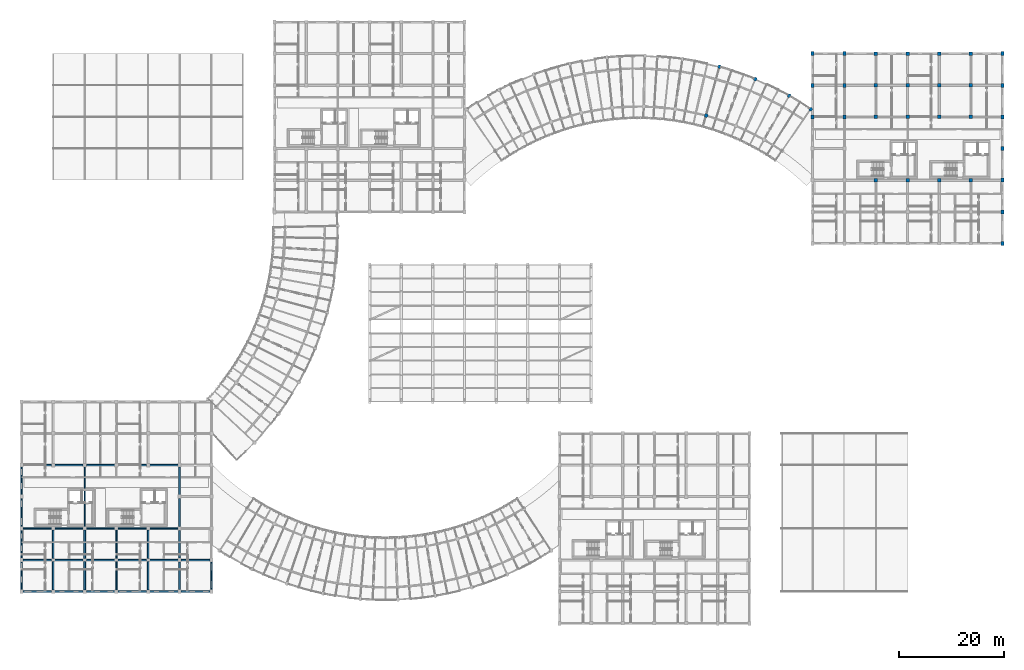
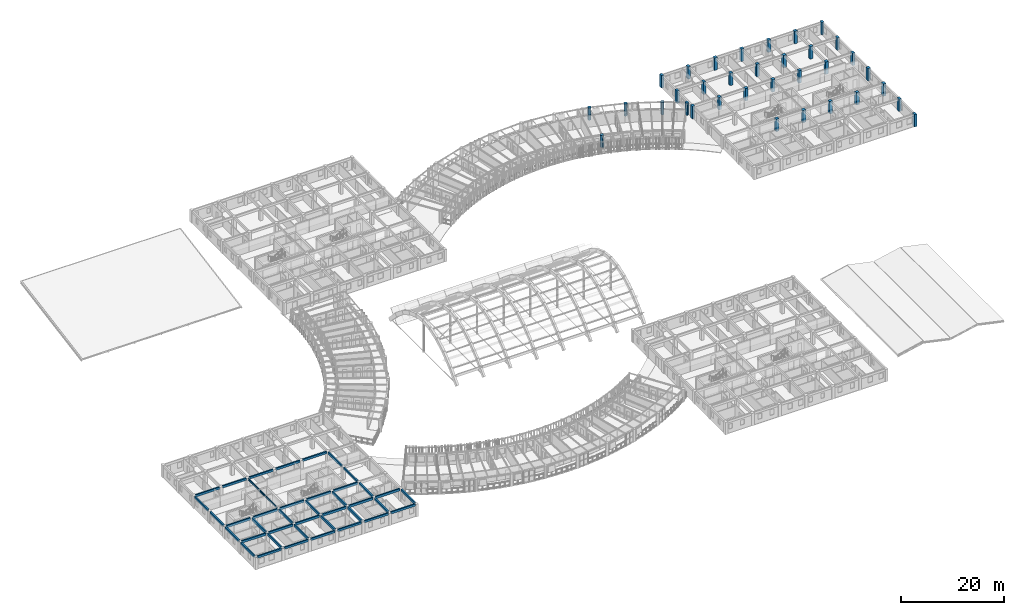
# One storey, part 2 of 123: 40 beams, 34 columns.
"""IFC4 building model written with IfcOpenShell, lengths in metres."""

from ifc_helpers import new_model, si_unit, direction, frame, origin, origin_2d, place, context, subcontext, project, spatial, rectangle, circle, i_section, extrude, material, material_profile, profile_set, type_object, element, save


model = new_model("IFC4")

# Units and contexts
model_context = context("Model", 3, precision=1e-05, world=origin(), true_north=direction((0.0, 1.0)))
body_context = subcontext(model_context, "Body", "Model", "MODEL_VIEW")
ifc_project = project(units=[si_unit("LENGTHUNIT", "METRE"), si_unit("AREAUNIT", "SQUARE_METRE"), si_unit("VOLUMEUNIT", "CUBIC_METRE"), si_unit("PLANEANGLEUNIT", "RADIAN"), si_unit("MASSUNIT", "GRAM", prefix="KILO"), si_unit("POWERUNIT", "WATT"), si_unit("THERMODYNAMICTEMPERATUREUNIT", "KELVIN")], contexts=[model_context])

# Site, building, storey
site_placement = place(None, origin())
site = spatial("IfcSite", under=ifc_project, at=site_placement, CompositionType="ELEMENT")
building_placement = place(site_placement, origin())
building = spatial("IfcBuilding", under=site, at=building_placement, Name="Ruvembo Vaulted Housing Court", CompositionType="ELEMENT")
storey_placement = place(building_placement, frame((0.0, 0.0, 7.699951171875)))
storey = spatial("IfcBuildingStorey", under=building, at=storey_placement, Name="L02", CompositionType="ELEMENT", Elevation=7.699951171875)

# Columns
ifc_material_1 = material(Name="Concrete C40/50", Category="concrete")
ifc_material_profile_1 = material_profile(ifc_material_1, rectangle(XDim=0.550048828125, YDim=0.75, at=origin_2d()), Name="RC 550x750")
ifc_profile_set_1 = profile_set([ifc_material_profile_1], Name="Concrete C40/50")
column_type_1 = type_object("IfcColumnType", Name="COL-RC-550x750", PredefinedType="COLUMN", material=ifc_profile_set_1)
for number, where, z_axis, x_axis, name in (
    (1, (150.0, 96.0, 0.0), (0.0, 0.0, 1.0), (1.0, 0.0, 0.0), "L02 Column (150,96)"),
    (2, (150.0, 102.0, 0.0), (0.0, 0.0, 1.0), (1.0, 0.0, 0.0), "L02 Column (150,102)"),
    (3, (150.0, 108.0, 0.0), (0.0, 0.0, 1.0), (1.0, 0.0, 0.0), "L02 Column (150,108)"),
    (4, (156.0, 96.0, 0.0), (0.0, 0.0, 1.0), (1.0, 0.0, 0.0), "L02 Column (156,96)"),
    (5, (156.0, 102.0, 0.0), (0.0, 0.0, 1.0), (1.0, 0.0, 0.0), "L02 Column (156,102)"),
    (6, (156.0, 108.0, 0.0), (0.0, 0.0, 1.0), (1.0, 0.0, 0.0), "L02 Column (156,108)"),
    (7, (186.0, 72.0, 0.0), (0.0, 0.0, 1.0), (1.0, 0.0, 0.0), "L02 Column (186,72)"),
    (8, (186.0, 78.0, 0.0), (0.0, 0.0, 1.0), (1.0, 0.0, 0.0), "L02 Column (186,78)"),
    (9, (186.0, 84.0, 0.0), (0.0, 0.0, 1.0), (1.0, 0.0, 0.0), "L02 Column (186,84)"),
    (10, (186.0, 90.0, 0.0), (0.0, 0.0, 1.0), (1.0, 0.0, 0.0), "L02 Column (186,90)"),
    (11, (186.0, 96.0, 0.0), (0.0, 0.0, 1.0), (1.0, 0.0, 0.0), "L02 Column (186,96)"),
    (12, (186.0, 102.0, 0.0), (0.0, 0.0, 1.0), (1.0, 0.0, 0.0), "L02 Column (186,102)"),
    (13, (186.0, 108.0, 0.0), (0.0, 0.0, 1.0), (1.0, 0.0, 0.0), "L02 Column (186,108)"),
):
    element("IfcColumn", number, at=place(storey_placement, frame(where, z_axis=z_axis, x_axis=x_axis)), inside=storey, type_object=column_type_1, Name=name, PredefinedType="COLUMN", context=body_context, shape_type="SweptSolid", body=[
        extrude(rectangle(XDim=0.550048828125, YDim=0.75, at=origin_2d()), origin(), (0.0, 0.0, 1.0), 2.955078125),
    ])
ifc_material_profile_2 = material_profile(ifc_material_1, rectangle(XDim=0.64990234375, YDim=0.64990234375, at=origin_2d()), Name="RC 650x650")
ifc_profile_set_2 = profile_set([ifc_material_profile_2], Name="Concrete C40/50")
column_type_2 = type_object("IfcColumnType", Name="COL-RC-650", PredefinedType="COLUMN", material=ifc_profile_set_2)
for number, where, z_axis, x_axis, name in (
    (14, (162.0, 84.0, 0.0), (0.0, 0.0, 1.0), (1.0, 0.0, 0.0), "L02 Column (162,84)"),
    (15, (162.0, 96.0, 0.0), (0.0, 0.0, 1.0), (1.0, 0.0, 0.0), "L02 Column (162,96)"),
    (16, (162.0, 102.0, 0.0), (0.0, 0.0, 1.0), (1.0, 0.0, 0.0), "L02 Column (162,102)"),
    (17, (162.0, 108.0, 0.0), (0.0, 0.0, 1.0), (1.0, 0.0, 0.0), "L02 Column (162,108)"),
    (18, (168.0, 84.0, 0.0), (0.0, 0.0, 1.0), (1.0, 0.0, 0.0), "L02 Column (168,84)"),
    (19, (168.0, 96.0, 0.0), (0.0, 0.0, 1.0), (1.0, 0.0, 0.0), "L02 Column (168,96)"),
    (20, (168.0, 102.0, 0.0), (0.0, 0.0, 1.0), (1.0, 0.0, 0.0), "L02 Column (168,102)"),
    (21, (168.0, 108.0, 0.0), (0.0, 0.0, 1.0), (1.0, 0.0, 0.0), "L02 Column (168,108)"),
    (22, (174.0, 84.0, 0.0), (0.0, 0.0, 1.0), (1.0, 0.0, 0.0), "L02 Column (174,84)"),
    (23, (174.0, 96.0, 0.0), (0.0, 0.0, 1.0), (1.0, 0.0, 0.0), "L02 Column (174,96)"),
    (24, (174.0, 102.0, 0.0), (0.0, 0.0, 1.0), (1.0, 0.0, 0.0), "L02 Column (174,102)"),
    (25, (174.0, 108.0, 0.0), (0.0, 0.0, 1.0), (1.0, 0.0, 0.0), "L02 Column (174,108)"),
    (26, (180.0, 84.0, 0.0), (0.0, 0.0, 1.0), (1.0, 0.0, 0.0), "L02 Column (180,84)"),
    (27, (180.0, 96.0, 0.0), (0.0, 0.0, 1.0), (1.0, 0.0, 0.0), "L02 Column (180,96)"),
    (28, (180.0, 102.0, 0.0), (0.0, 0.0, 1.0), (1.0, 0.0, 0.0), "L02 Column (180,102)"),
    (29, (180.0, 108.0, 0.0), (0.0, 0.0, 1.0), (1.0, 0.0, 0.0), "L02 Column (180,108)"),
):
    element("IfcColumn", number, at=place(storey_placement, frame(where, z_axis=z_axis, x_axis=x_axis)), inside=storey, type_object=column_type_2, Name=name, PredefinedType="COLUMN", context=body_context, shape_type="SweptSolid", body=[
        extrude(rectangle(XDim=0.64990234375, YDim=0.64990234375, at=origin_2d()), origin(), (0.0, 0.0, 1.0), 2.955078125),
    ])
ifc_material_profile_3 = material_profile(ifc_material_1, circle(Radius=0.35009765625, at=origin_2d()), Name="RC D700")
ifc_profile_set_3 = profile_set([ifc_material_profile_3], Name="Concrete C40/50")
column_type_3 = type_object("IfcColumnType", Name="PILOTIS-D700", PredefinedType="COLUMN", material=ifc_profile_set_3)
for number, where, z_axis, x_axis, name in (
    (30, (129.794677734375, 96.26318359375, 0.0), (0.0, 0.0, 1.0), (1.0, 0.0, 0.0), "L02 Scooped Pier CP-SC3-F08"),
    (31, (132.353759765625, 105.51611328125, 0.0), (0.0, 0.0, 1.0), (1.0, 0.0, 0.0), "L02 Scooped Pier CP-SC3-B08"),
    (32, (139.13037109375, 103.178955078125, 0.0), (0.0, 0.0, 1.0), (1.0, 0.0, 0.0), "L02 Scooped Pier CP-SC3-B09"),
    (33, (145.564453125, 100.018310546875, 0.0), (0.0, 0.0, 1.0), (1.0, 0.0, 0.0), "L02 Scooped Pier CP-SC3-B10"),
    (34, (149.61376953125, 97.477294921875, 0.0), (0.0, 0.0, 1.0), (1.0, 0.0, 0.0), "L02 Scooped Pier CP-SC3-B11"),
):
    element("IfcColumn", number, at=place(storey_placement, frame(where, z_axis=z_axis, x_axis=x_axis)), inside=storey, type_object=column_type_3, Name=name, PredefinedType="COLUMN", context=body_context, shape_type="SweptSolid", body=[
        extrude(circle(Radius=0.35009765625, at=origin_2d()), origin(), (0.0, 0.0, 1.0), 2.947998046875),
    ])

# Beams
ifc_material_2 = material(Name="Concrete C35/45", Category="concrete")
ifc_material_profile_4 = material_profile(ifc_material_2, rectangle(XDim=0.300048828125, YDim=0.550048828125, at=origin_2d()), Name="RC 300x550")
ifc_profile_set_4 = profile_set([ifc_material_profile_4], Name="Concrete C35/45")
beam_type_1 = type_object("IfcBeamType", Name="BM-RC-300x550", PredefinedType="BEAM", material=ifc_profile_set_4)
beam_1_placement = place(storey_placement, frame((0.260009765625, 12.0, 2.679931640625), z_axis=(1.0, 0.0, 0.0), x_axis=(0.0, 1.0, 0.0)))
element("IfcBeam", 35, at=beam_1_placement, inside=storey, type_object=beam_type_1, Name="L02 Grid Beam X #1439", PredefinedType="BEAM", context=body_context, shape_type="SweptSolid", body=[
    extrude(rectangle(XDim=0.300048828125, YDim=0.550048828125, at=origin_2d()), origin(), (0.0, 0.0, 1.0), 5.429931640625),
])
for number, where, z_axis, x_axis, name in (
    (36, (6.31005859375, 12.0, 2.679931640625), (1.0, 0.0, 0.0), (0.0, 1.0, 0.0), "L02 Grid Beam X #1440"),
    (37, (12.31005859375, 12.0, 2.679931640625), (1.0, 0.0, 0.0), (0.0, 1.0, 0.0), "L02 Grid Beam X #1441"),
    (38, (18.31005859375, 12.0, 2.679931640625), (1.0, 0.0, 0.0), (0.0, 1.0, 0.0), "L02 Grid Beam X #1442"),
):
    element("IfcBeam", number, at=place(storey_placement, frame(where, z_axis=z_axis, x_axis=x_axis)), inside=storey, type_object=beam_type_1, Name=name, PredefinedType="BEAM", context=body_context, shape_type="SweptSolid", body=[
        extrude(rectangle(XDim=0.300048828125, YDim=0.550048828125, at=origin_2d()), origin(), (0.0, 0.0, 1.0), 5.3798828125),
    ])
beam_2_placement = place(storey_placement, frame((24.31005859375, 12.0, 2.679931640625), z_axis=(1.0, 0.0, 0.0), x_axis=(0.0, 1.0, 0.0)))
element("IfcBeam", 39, at=beam_2_placement, inside=storey, type_object=beam_type_1, Name="L02 Grid Beam X #1443", PredefinedType="BEAM", context=body_context, shape_type="SweptSolid", body=[
    extrude(rectangle(XDim=0.300048828125, YDim=0.550048828125, at=origin_2d()), origin(), (0.0, 0.0, 1.0), 5.429931640625),
])
beam_3_placement = place(storey_placement, frame((30.260009765625, 12.0, 2.679931640625), z_axis=(1.0, 0.0, 0.0), x_axis=(0.0, 1.0, 0.0)))
element("IfcBeam", 40, at=beam_3_placement, inside=storey, type_object=beam_type_1, Name="L02 Grid Beam X #1444", PredefinedType="BEAM", context=body_context, shape_type="SweptSolid", body=[
    extrude(rectangle(XDim=0.300048828125, YDim=0.550048828125, at=origin_2d()), origin(), (0.0, 0.0, 1.0), 5.47998046875),
])
beam_4_placement = place(storey_placement, frame((0.260009765625, 18.0, 2.679931640625), z_axis=(1.0, 0.0, 0.0), x_axis=(0.0, 1.0, 0.0)))
element("IfcBeam", 41, at=beam_4_placement, inside=storey, type_object=beam_type_1, Name="L02 Grid Beam X #1451", PredefinedType="BEAM", context=body_context, shape_type="SweptSolid", body=[
    extrude(rectangle(XDim=0.300048828125, YDim=0.550048828125, at=origin_2d()), origin(), (0.0, 0.0, 1.0), 5.429931640625),
])
for number, where, z_axis, x_axis, name in (
    (42, (6.31005859375, 18.0, 2.679931640625), (1.0, 0.0, 0.0), (0.0, 1.0, 0.0), "L02 Grid Beam X #1452"),
    (43, (12.31005859375, 18.0, 2.679931640625), (1.0, 0.0, 0.0), (0.0, 1.0, 0.0), "L02 Grid Beam X #1453"),
    (44, (18.31005859375, 18.0, 2.679931640625), (1.0, 0.0, 0.0), (0.0, 1.0, 0.0), "L02 Grid Beam X #1454"),
):
    element("IfcBeam", number, at=place(storey_placement, frame(where, z_axis=z_axis, x_axis=x_axis)), inside=storey, type_object=beam_type_1, Name=name, PredefinedType="BEAM", context=body_context, shape_type="SweptSolid", body=[
        extrude(rectangle(XDim=0.300048828125, YDim=0.550048828125, at=origin_2d()), origin(), (0.0, 0.0, 1.0), 5.3798828125),
    ])
beam_5_placement = place(storey_placement, frame((24.31005859375, 18.0, 2.679931640625), z_axis=(1.0, 0.0, 0.0), x_axis=(0.0, 1.0, 0.0)))
element("IfcBeam", 45, at=beam_5_placement, inside=storey, type_object=beam_type_1, Name="L02 Grid Beam X #1455", PredefinedType="BEAM", context=body_context, shape_type="SweptSolid", body=[
    extrude(rectangle(XDim=0.300048828125, YDim=0.550048828125, at=origin_2d()), origin(), (0.0, 0.0, 1.0), 5.429931640625),
])
ifc_material_profile_5 = material_profile(ifc_material_2, rectangle(XDim=0.300048828125, YDim=0.60009765625, at=origin_2d()), Name="RC 300x600")
ifc_profile_set_5 = profile_set([ifc_material_profile_5], Name="Concrete C35/45")
beam_type_2 = type_object("IfcBeamType", Name="BM-RC-300x600", PredefinedType="BEAM", material=ifc_profile_set_5)
for number, where, z_axis, x_axis, name in (
    (46, (6.0, 6.31005859375, 2.655029296875), (0.0, 1.0, 0.0), (-1.0, 0.0, 0.0), "L02 Grid Beam Y #1575"),
    (47, (6.0, 12.31005859375, 2.655029296875), (0.0, 1.0, 0.0), (-1.0, 0.0, 0.0), "L02 Grid Beam Y #1576"),
    (48, (12.0, 6.31005859375, 2.655029296875), (0.0, 1.0, 0.0), (-1.0, 0.0, 0.0), "L02 Grid Beam Y #1579"),
    (49, (12.0, 12.31005859375, 2.655029296875), (0.0, 1.0, 0.0), (-1.0, 0.0, 0.0), "L02 Grid Beam Y #1580"),
    (50, (18.0, 6.31005859375, 2.655029296875), (0.0, 1.0, 0.0), (-1.0, 0.0, 0.0), "L02 Grid Beam Y #1584"),
    (51, (18.0, 12.31005859375, 2.655029296875), (0.0, 1.0, 0.0), (-1.0, 0.0, 0.0), "L02 Grid Beam Y #1585"),
    (52, (24.0, 6.31005859375, 2.655029296875), (0.0, 1.0, 0.0), (-1.0, 0.0, 0.0), "L02 Grid Beam Y #1588"),
    (53, (24.0, 12.31005859375, 2.655029296875), (0.0, 1.0, 0.0), (-1.0, 0.0, 0.0), "L02 Grid Beam Y #1589"),
):
    element("IfcBeam", number, at=place(storey_placement, frame(where, z_axis=z_axis, x_axis=x_axis)), inside=storey, type_object=beam_type_2, Name=name, PredefinedType="BEAM", context=body_context, shape_type="SweptSolid", body=[
        extrude(rectangle(XDim=0.300048828125, YDim=0.60009765625, at=origin_2d()), origin(), (0.0, 0.0, 1.0), 5.3798828125),
    ])
ifc_material_3 = material(Name="Steel S355J2", Category="steel")
ifc_material_profile_6 = material_profile(ifc_material_3, i_section(OverallWidth=0.179931640625, OverallDepth=0.39990234375, WebThickness=0.008544921875, FlangeThickness=0.013427734375, FilletRadius=0.02099609375, at=origin_2d()), Name="IPE 400")
ifc_profile_set_6 = profile_set([ifc_material_profile_6], Name="Steel S355J2")
beam_type_3 = type_object("IfcBeamType", Name="BM-ST-IPE400", PredefinedType="BEAM", material=ifc_profile_set_6)
beam_6_placement = place(storey_placement, frame((12.0, 18.31005859375, 2.72607421875), z_axis=(0.0, 1.0, 0.0), x_axis=(-1.0, 0.0, 0.0)))
element("IfcBeam", 54, at=beam_6_placement, inside=storey, type_object=beam_type_3, Name="L02 Grid Beam Y #1581", PredefinedType="BEAM", context=body_context, shape_type="SweptSolid", body=[
    extrude(i_section(OverallWidth=0.179931640625, OverallDepth=0.39990234375, WebThickness=0.008544921875, FlangeThickness=0.013427734375, FilletRadius=0.02099609375, at=origin_2d()), origin(), (0.0, 0.0, 1.0), 11.3798828125),
])
ifc_material_profile_7 = material_profile(ifc_material_2, rectangle(XDim=0.300048828125, YDim=0.5, at=origin_2d()), Name="RC 300x500")
ifc_profile_set_7 = profile_set([ifc_material_profile_7], Name="Concrete C35/45")
beam_type_4 = type_object("IfcBeamType", Name="SP-RC-300x500", PredefinedType="SPANDREL", material=ifc_profile_set_7)
beam_7_placement = place(storey_placement, frame((0.260009765625, 6.0, 2.705078125), z_axis=(1.0, 0.0, 0.0), x_axis=(0.0, 1.0, 0.0)))
element("IfcBeam", 55, at=beam_7_placement, inside=storey, type_object=beam_type_4, Name="L02 Grid Beam X #1427", PredefinedType="SPANDREL", context=body_context, shape_type="SweptSolid", body=[
    extrude(rectangle(XDim=0.300048828125, YDim=0.5, at=origin_2d()), origin(), (0.0, 0.0, 1.0), 5.429931640625),
])
for number, where, z_axis, x_axis, name in (
    (56, (6.31005859375, 6.0, 2.705078125), (1.0, 0.0, 0.0), (0.0, 1.0, 0.0), "L02 Grid Beam X #1428"),
    (57, (12.31005859375, 6.0, 2.705078125), (1.0, 0.0, 0.0), (0.0, 1.0, 0.0), "L02 Grid Beam X #1429"),
    (58, (18.31005859375, 6.0, 2.705078125), (1.0, 0.0, 0.0), (0.0, 1.0, 0.0), "L02 Grid Beam X #1430"),
):
    element("IfcBeam", number, at=place(storey_placement, frame(where, z_axis=z_axis, x_axis=x_axis)), inside=storey, type_object=beam_type_4, Name=name, PredefinedType="SPANDREL", context=body_context, shape_type="SweptSolid", body=[
        extrude(rectangle(XDim=0.300048828125, YDim=0.5, at=origin_2d()), origin(), (0.0, 0.0, 1.0), 5.3798828125),
    ])
beam_8_placement = place(storey_placement, frame((24.31005859375, 6.0, 2.705078125), z_axis=(1.0, 0.0, 0.0), x_axis=(0.0, 1.0, 0.0)))
element("IfcBeam", 59, at=beam_8_placement, inside=storey, type_object=beam_type_4, Name="L02 Grid Beam X #1431", PredefinedType="SPANDREL", context=body_context, shape_type="SweptSolid", body=[
    extrude(rectangle(XDim=0.300048828125, YDim=0.5, at=origin_2d()), origin(), (0.0, 0.0, 1.0), 5.429931640625),
])
beam_9_placement = place(storey_placement, frame((30.260009765625, 6.0, 2.705078125), z_axis=(1.0, 0.0, 0.0), x_axis=(0.0, 1.0, 0.0)))
element("IfcBeam", 60, at=beam_9_placement, inside=storey, type_object=beam_type_4, Name="L02 Grid Beam X #1432", PredefinedType="SPANDREL", context=body_context, shape_type="SweptSolid", body=[
    extrude(rectangle(XDim=0.300048828125, YDim=0.5, at=origin_2d()), origin(), (0.0, 0.0, 1.0), 5.47998046875),
])
beam_10_placement = place(storey_placement, frame((0.260009765625, 30.0, 2.705078125), z_axis=(1.0, 0.0, 0.0), x_axis=(0.0, 1.0, 0.0)))
element("IfcBeam", 61, at=beam_10_placement, inside=storey, type_object=beam_type_4, Name="L02 Grid Beam X #1465", PredefinedType="SPANDREL", context=body_context, shape_type="SweptSolid", body=[
    extrude(rectangle(XDim=0.300048828125, YDim=0.5, at=origin_2d()), origin(), (0.0, 0.0, 1.0), 5.429931640625),
])
for number, where, z_axis, x_axis, name in (
    (62, (6.31005859375, 30.0, 2.705078125), (1.0, 0.0, 0.0), (0.0, 1.0, 0.0), "L02 Grid Beam X #1466"),
    (63, (12.31005859375, 30.0, 2.705078125), (1.0, 0.0, 0.0), (0.0, 1.0, 0.0), "L02 Grid Beam X #1467"),
    (64, (18.31005859375, 30.0, 2.705078125), (1.0, 0.0, 0.0), (0.0, 1.0, 0.0), "L02 Grid Beam X #1468"),
):
    element("IfcBeam", number, at=place(storey_placement, frame(where, z_axis=z_axis, x_axis=x_axis)), inside=storey, type_object=beam_type_4, Name=name, PredefinedType="SPANDREL", context=body_context, shape_type="SweptSolid", body=[
        extrude(rectangle(XDim=0.300048828125, YDim=0.5, at=origin_2d()), origin(), (0.0, 0.0, 1.0), 5.3798828125),
    ])
beam_11_placement = place(storey_placement, frame((24.31005859375, 30.0, 2.705078125), z_axis=(1.0, 0.0, 0.0), x_axis=(0.0, 1.0, 0.0)))
element("IfcBeam", 65, at=beam_11_placement, inside=storey, type_object=beam_type_4, Name="L02 Grid Beam X #1469", PredefinedType="SPANDREL", context=body_context, shape_type="SweptSolid", body=[
    extrude(rectangle(XDim=0.300048828125, YDim=0.5, at=origin_2d()), origin(), (0.0, 0.0, 1.0), 5.429931640625),
])
for number, where, z_axis, x_axis, name in (
    (66, (0.0, 6.360107421875, 2.705078125), (0.0, 1.0, 0.0), (-1.0, 0.0, 0.0), "L02 Grid Beam Y #1569"),
    (67, (0.0, 12.360107421875, 2.705078125), (0.0, 1.0, 0.0), (-1.0, 0.0, 0.0), "L02 Grid Beam Y #1570"),
    (68, (0.0, 18.360107421875, 2.705078125), (0.0, 1.0, 0.0), (-1.0, 0.0, 0.0), "L02 Grid Beam Y #1571"),
    (69, (0.0, 24.360107421875, 2.705078125), (0.0, 1.0, 0.0), (-1.0, 0.0, 0.0), "L02 Grid Beam Y #1572"),
    (70, (30.0, 6.360107421875, 2.705078125), (0.0, 1.0, 0.0), (-1.0, 0.0, 0.0), "L02 Grid Beam Y #1592"),
    (71, (30.0, 12.360107421875, 2.705078125), (0.0, 1.0, 0.0), (-1.0, 0.0, 0.0), "L02 Grid Beam Y #1593"),
    (72, (30.0, 18.360107421875, 2.705078125), (0.0, 1.0, 0.0), (-1.0, 0.0, 0.0), "L02 Grid Beam Y #1594"),
    (73, (30.0, 24.360107421875, 2.705078125), (0.0, 1.0, 0.0), (-1.0, 0.0, 0.0), "L02 Grid Beam Y #1595"),
    (74, (36.0, 6.360107421875, 2.705078125), (0.0, 1.0, 0.0), (-1.0, 0.0, 0.0), "L02 Grid Beam Y #1598"),
):
    element("IfcBeam", number, at=place(storey_placement, frame(where, z_axis=z_axis, x_axis=x_axis)), inside=storey, type_object=beam_type_4, Name=name, PredefinedType="SPANDREL", context=body_context, shape_type="SweptSolid", body=[
        extrude(rectangle(XDim=0.300048828125, YDim=0.5, at=origin_2d()), origin(), (0.0, 0.0, 1.0), 5.27978515625),
    ])

save(model, "model.ifc")
